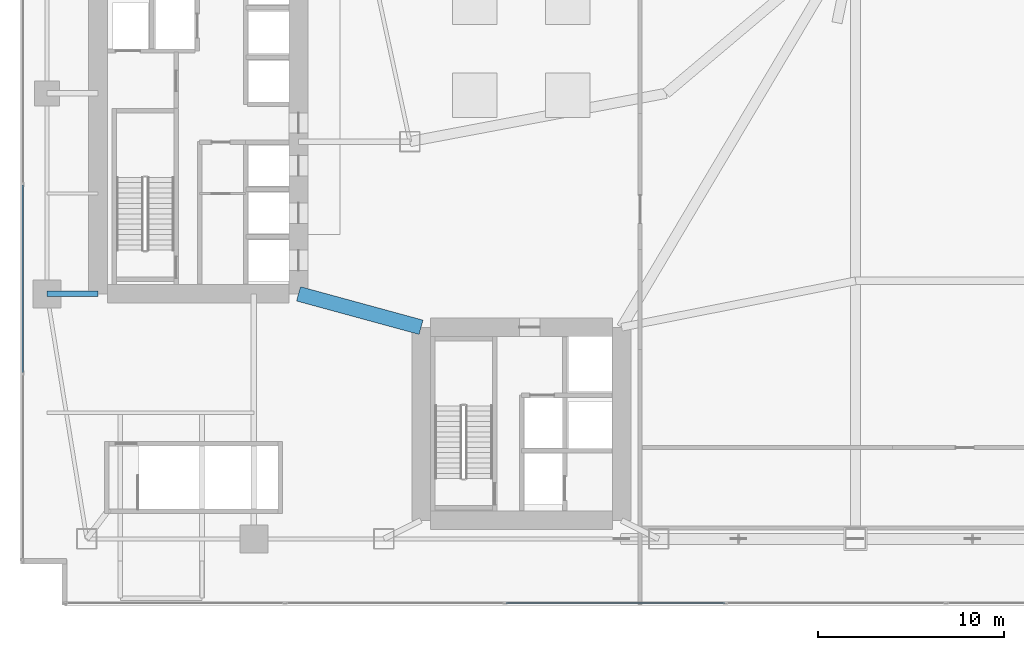
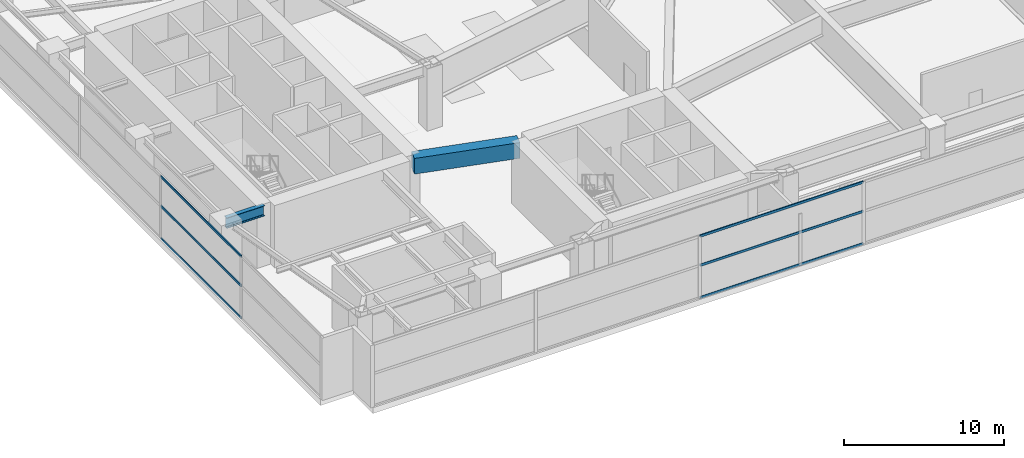
# One storey, part 8 of 36: 6 members, 2 beams, 2 elements without a shape of their own.
"""IFC4 building model written with IfcOpenShell, lengths in metres."""

from ifc_helpers import new_model, si_unit, direction, frame, origin, origin_2d, place, context, subcontext, project, spatial, rectangle, hollow_rectangle, i_section, extrude, material, layer, layer_set, material_profile, profile_set, type_object, element, aggregate, save


model = new_model("IFC4")

# Units and contexts
model_context = context("Model", 3, precision=1e-05, world=origin(), true_north=direction((0.0, 1.0)))
body_context = subcontext(model_context, "Body", "Model", "MODEL_VIEW")
ifc_project = project(units=[si_unit("LENGTHUNIT", "METRE"), si_unit("AREAUNIT", "SQUARE_METRE"), si_unit("VOLUMEUNIT", "CUBIC_METRE"), si_unit("PLANEANGLEUNIT", "RADIAN"), si_unit("MASSUNIT", "GRAM", prefix="KILO")], contexts=[model_context])

# Site, building, storey
site_placement = place(None, origin())
site = spatial("IfcSite", under=ifc_project, at=site_placement, CompositionType="ELEMENT")
building_placement = place(site_placement, origin())
building = spatial("IfcBuilding", under=site, at=building_placement, Name="Calvorn Quay Hotel", CompositionType="ELEMENT")
storey_placement = place(building_placement, frame((0.0, 0.0, 22.0)))
storey = spatial("IfcBuildingStorey", under=building, at=storey_placement, Name="L04", CompositionType="ELEMENT", Elevation=22.0)

# Beams
ifc_material_1 = material(Name="Steel Q390GJC", Category="steel")
ifc_material_profile_1 = material_profile(ifc_material_1, i_section(OverallWidth=0.300048828125, OverallDepth=0.800048828125, WebThickness=0.013916015625, FlangeThickness=0.02587890625, FilletRadius=0.02392578125, at=origin_2d()), Name="HN800x300x14x26")
ifc_profile_set_1 = profile_set([ifc_material_profile_1], Name="Steel Q390GJC")
beam_type_1 = type_object("IfcBeamType", Name="BM-GIRD-POD", PredefinedType="BEAM", material=ifc_profile_set_1)
beam_1_placement = place(storey_placement, frame((1.449951171875, 16.800048828125, 4.340087890625), z_axis=(1.0, 0.0, 0.0), x_axis=(0.0, 1.0, 0.0)))
element("IfcBeam", 1, at=beam_1_placement, inside=storey, type_object=beam_type_1, Name="Beam BG-L04-W1", PredefinedType="BEAM", context=body_context, shape_type="SweptSolid", body=[
    extrude(i_section(OverallWidth=0.300048828125, OverallDepth=0.800048828125, WebThickness=0.013916015625, FlangeThickness=0.02587890625, FilletRadius=0.02392578125, at=origin_2d()), origin(), (0.0, 0.0, 1.0), 2.75),
])
ifc_material_2 = material(Name="Concrete C60", Category="concrete")
ifc_material_profile_2 = material_profile(ifc_material_2, rectangle(XDim=0.800048828125, YDim=1.199951171875, at=origin_2d()), Name="RCB800x1200")
ifc_profile_set_2 = profile_set([ifc_material_profile_2], Name="Concrete C60")
beam_type_2 = type_object("IfcBeamType", Name="BM-RC-LINK-800x1200", PredefinedType="BEAM", material=ifc_profile_set_2)
beam_2_placement = place(storey_placement, frame((15.0, 16.800048828125, 4.139892578125), z_axis=(0.964762997686, -0.263120425462, 0.0), x_axis=(0.263120425462, 0.964762997686, 0.0)))
element("IfcBeam", 2, at=beam_2_placement, inside=storey, type_object=beam_type_2, Name="Beam BCL-L04-01", PredefinedType="BEAM", context=body_context, shape_type="SweptSolid", body=[
    extrude(rectangle(XDim=0.800048828125, YDim=1.199951171875, at=origin_2d()), origin(), (0.0, 0.0, 1.0), 6.841064453125),
])

# Curtain wall, members
ifc_material_3 = material(Name="Pale Anodised Aluminium and Low-E Glass", Category="aluminium")
ifc_layer = layer(ifc_material_3, 0.219970703125)
ifc_layer_set = layer_set([ifc_layer], Name="CW-SYS-POD")
curtain_wall_type = type_object("IfcCurtainWallType", Name="CW-SYS-POD", PredefinedType="NOTDEFINED", material=ifc_layer_set)
curtain_wall_1_placement = place(storey_placement, origin())
curtain_wall_1 = element("IfcCurtainWall", 3, at=curtain_wall_1_placement, inside=storey, type_object=curtain_wall_type, Name="Podium Curtain Wall L04-S1", PredefinedType="NOTDEFINED")
ifc_material_4 = material(Name="Pale Anodised Aluminium 6063-T6", Category="aluminium")
ifc_material_profile_3 = material_profile(ifc_material_4, hollow_rectangle(XDim=0.070068359375, YDim=0.179931640625, WallThickness=0.00390625, at=origin_2d()), Name="ALU-T180x70x4")
ifc_profile_set_3 = profile_set([ifc_material_profile_3], Name="Pale Anodised Aluminium 6063-T6")
member_type = type_object("IfcMemberType", Name="CW-SYS-POD-TRN", PredefinedType="USERDEFINED", material=ifc_profile_set_3)
member_1_placement = place(storey_placement, frame((26.163330078125, 0.14990234375, 0.030029296875), z_axis=(1.0, 0.0, 0.0), x_axis=(0.0, 1.0, 0.0)))
member_1 = element("IfcMember", 4, at=member_1_placement, type_object=member_type, Name="CW-L04-S1 transom 3.1", ObjectType="TRANSOM", PredefinedType="USERDEFINED", context=body_context, shape_type="SweptSolid", body=[
    extrude(hollow_rectangle(XDim=0.070068359375, YDim=0.179931640625, WallThickness=0.00390625, at=origin_2d()), origin(), (0.0, 0.0, 1.0), 11.806640625),
])
member_2_placement = place(storey_placement, frame((26.163330078125, 0.14990234375, 2.5), z_axis=(1.0, 0.0, 0.0), x_axis=(0.0, 1.0, 0.0)))
member_2 = element("IfcMember", 5, at=member_2_placement, type_object=member_type, Name="CW-L04-S1 transom 3.2", ObjectType="TRANSOM", PredefinedType="USERDEFINED", context=body_context, shape_type="SweptSolid", body=[
    extrude(hollow_rectangle(XDim=0.070068359375, YDim=0.179931640625, WallThickness=0.00390625, at=origin_2d()), origin(), (0.0, 0.0, 1.0), 11.806640625),
])
member_3_placement = place(storey_placement, frame((26.163330078125, 0.14990234375, 4.72998046875), z_axis=(1.0, 0.0, 0.0), x_axis=(0.0, 1.0, 0.0)))
member_3 = element("IfcMember", 6, at=member_3_placement, type_object=member_type, Name="CW-L04-S1 transom 3.3", ObjectType="TRANSOM", PredefinedType="USERDEFINED", context=body_context, shape_type="SweptSolid", body=[
    extrude(hollow_rectangle(XDim=0.070068359375, YDim=0.179931640625, WallThickness=0.00390625, at=origin_2d()), origin(), (0.0, 0.0, 1.0), 11.806640625),
])
aggregate(curtain_wall_1, [member_1, member_2, member_3])

curtain_wall_2_placement = place(storey_placement, origin())
curtain_wall_2 = element("IfcCurtainWall", 7, at=curtain_wall_2_placement, inside=storey, type_object=curtain_wall_type, Name="Podium Curtain Wall L04-W1", PredefinedType="NOTDEFINED")
member_4_placement = place(storey_placement, frame((0.14990234375, 12.570068359375, 0.030029296875), z_axis=(0.0, 1.0, 0.0), x_axis=(-1.0, 0.0, 0.0)))
member_4 = element("IfcMember", 8, at=member_4_placement, type_object=member_type, Name="CW-L04-W1 transom 2.1", ObjectType="TRANSOM", PredefinedType="USERDEFINED", context=body_context, shape_type="SweptSolid", body=[
    extrude(hollow_rectangle(XDim=0.070068359375, YDim=0.179931640625, WallThickness=0.00390625, at=origin_2d()), origin(), (0.0, 0.0, 1.0), 10.079833984375),
])
member_5_placement = place(storey_placement, frame((0.14990234375, 12.570068359375, 2.5), z_axis=(0.0, 1.0, 0.0), x_axis=(-1.0, 0.0, 0.0)))
member_5 = element("IfcMember", 9, at=member_5_placement, type_object=member_type, Name="CW-L04-W1 transom 2.2", ObjectType="TRANSOM", PredefinedType="USERDEFINED", context=body_context, shape_type="SweptSolid", body=[
    extrude(hollow_rectangle(XDim=0.070068359375, YDim=0.179931640625, WallThickness=0.00390625, at=origin_2d()), origin(), (0.0, 0.0, 1.0), 10.079833984375),
])
member_6_placement = place(storey_placement, frame((0.14990234375, 12.570068359375, 4.72998046875), z_axis=(0.0, 1.0, 0.0), x_axis=(-1.0, 0.0, 0.0)))
member_6 = element("IfcMember", 10, at=member_6_placement, type_object=member_type, Name="CW-L04-W1 transom 2.3", ObjectType="TRANSOM", PredefinedType="USERDEFINED", context=body_context, shape_type="SweptSolid", body=[
    extrude(hollow_rectangle(XDim=0.070068359375, YDim=0.179931640625, WallThickness=0.00390625, at=origin_2d()), origin(), (0.0, 0.0, 1.0), 10.079833984375),
])
aggregate(curtain_wall_2, [member_4, member_5, member_6])

save(model, "model.ifc")
